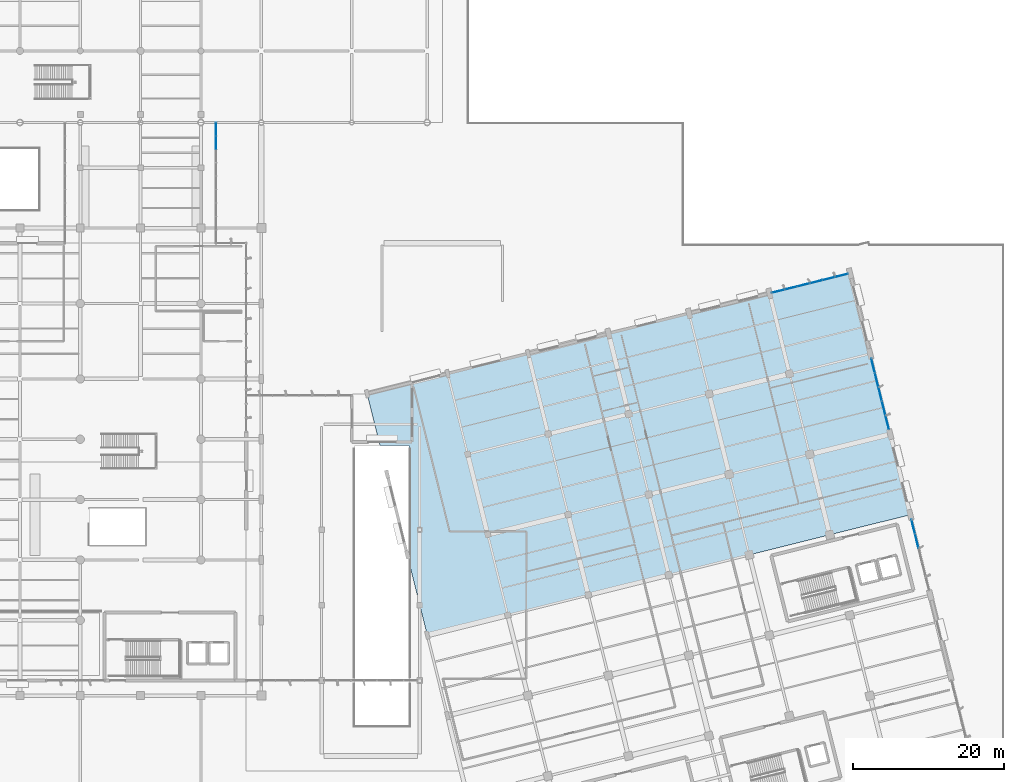
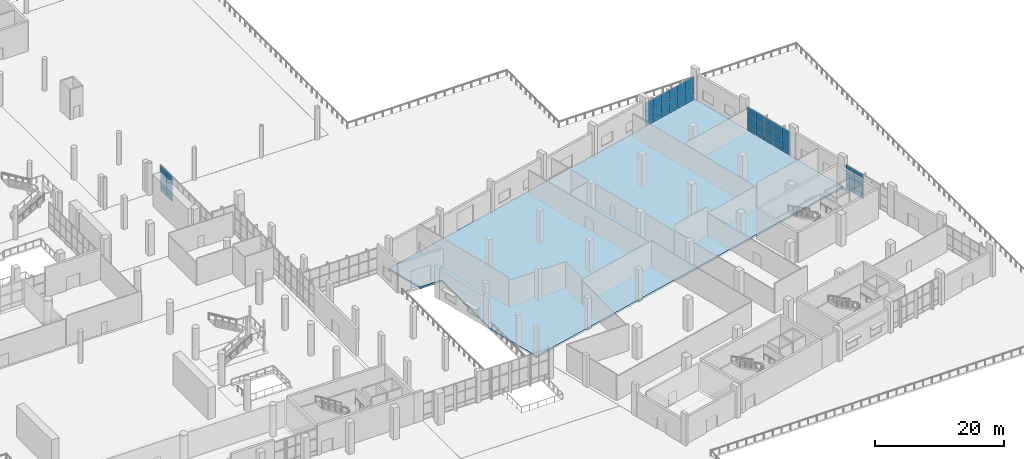
# One storey, part 120 of 163: 45 plates, 1 slab, 4 elements without a shape of their own.
"""IFC4 building model written with IfcOpenShell, lengths in metres."""

from ifc_helpers import new_model, si_unit, direction, frame, origin, origin_2d, place, context, subcontext, project, spatial, polyline, rectangle, outline, extrude, material, layer, layer_set, type_object, element, aggregate, save


model = new_model("IFC4")

# Units and contexts
model_context = context("Model", 3, precision=1e-05, world=origin(), true_north=direction((0.0, 1.0)))
body_context = subcontext(model_context, "Body", "Model", "MODEL_VIEW")
ifc_project = project(units=[si_unit("LENGTHUNIT", "METRE"), si_unit("AREAUNIT", "SQUARE_METRE"), si_unit("VOLUMEUNIT", "CUBIC_METRE"), si_unit("PLANEANGLEUNIT", "RADIAN"), si_unit("MASSUNIT", "GRAM", prefix="KILO")], contexts=[model_context])

# Site, building, storey
site_placement = place(None, origin())
site = spatial("IfcSite", under=ifc_project, at=site_placement, CompositionType="ELEMENT")
building_placement = place(site_placement, origin())
building = spatial("IfcBuilding", under=site, at=building_placement, Name="Khorjan Park Terminus", CompositionType="ELEMENT")
storey_placement = place(building_placement, origin())
storey = spatial("IfcBuildingStorey", under=building, at=storey_placement, Name="L00", CompositionType="ELEMENT", Elevation=0.0)

# Curtain wall, plates
ifc_material_1 = material(Name="Anodized Bronze Aluminium", Category="aluminium")
ifc_layer_1 = layer(ifc_material_1, 0.22)
ifc_layer_set_1 = layer_set([ifc_layer_1], Name="Anodized Bronze Aluminium")
curtain_wall_type_1 = type_object("IfcCurtainWallType", Name="CW-BRG-D", PredefinedType="NOTDEFINED", material=ifc_layer_set_1)
curtain_wall_1_placement = place(storey_placement, origin())
curtain_wall_1 = element("IfcCurtainWall", 1, at=curtain_wall_1_placement, inside=storey, type_object=curtain_wall_type_1, Name="Unitized curtain wall CW-D (CW-NKE-E-L00)", PredefinedType="NOTDEFINED")
ifc_material_2 = material(Name="Low-E Solar Control Double Glazing", Category="glass")
ifc_layer_2 = layer(ifc_material_2, 0.032)
ifc_layer_set_2 = layer_set([ifc_layer_2], Name="Low-E Solar Control Double Glazing")
plate_type_1 = type_object("IfcPlateType", Name="GL-VIS-32", PredefinedType="CURTAIN_PANEL", material=ifc_layer_set_2)
plate_1_placement = place(storey_placement, frame((130.0, 99.3333, 0.8499), z_axis=(0.0, 0.0, 1.0), x_axis=(0.0, 1.0, 0.0)))
plate_1 = element("IfcPlate", 2, at=plate_1_placement, type_object=plate_type_1, Name="Curtain-wall panel VP-32 (CW-NKE-E-L00-7-2)", PredefinedType="CURTAIN_PANEL", context=body_context, shape_type="SweptSolid", body=[
    extrude(rectangle(XDim=1.7778, YDim=0.032, at=origin_2d()), origin(), (0.0, 0.0, 1.0), 2.1415),
])
plate_2_placement = place(storey_placement, frame((130.0, 99.3333, 2.9914), z_axis=(0.0, 0.0, 1.0), x_axis=(0.0, 1.0, 0.0)))
plate_2 = element("IfcPlate", 3, at=plate_2_placement, type_object=plate_type_1, Name="Curtain-wall panel VP-32 (CW-NKE-E-L00-7-3)", PredefinedType="CURTAIN_PANEL", context=body_context, shape_type="SweptSolid", body=[
    extrude(rectangle(XDim=1.7778, YDim=0.032, at=origin_2d()), origin(), (0.0, 0.0, 1.0), 1.8435),
])
plate_3_placement = place(storey_placement, frame((130.0, 101.1111, 0.8499), z_axis=(0.0, 0.0, 1.0), x_axis=(0.0, 1.0, 0.0)))
plate_3 = element("IfcPlate", 4, at=plate_3_placement, type_object=plate_type_1, Name="Curtain-wall panel VP-32 (CW-NKE-E-L00-8-2)", PredefinedType="CURTAIN_PANEL", context=body_context, shape_type="SweptSolid", body=[
    extrude(rectangle(XDim=1.7778, YDim=0.032, at=origin_2d()), origin(), (0.0, 0.0, 1.0), 2.1415),
])
plate_4_placement = place(storey_placement, frame((130.0, 101.1111, 2.9914), z_axis=(0.0, 0.0, 1.0), x_axis=(0.0, 1.0, 0.0)))
plate_4 = element("IfcPlate", 5, at=plate_4_placement, type_object=plate_type_1, Name="Curtain-wall panel VP-32 (CW-NKE-E-L00-8-3)", PredefinedType="CURTAIN_PANEL", context=body_context, shape_type="SweptSolid", body=[
    extrude(rectangle(XDim=1.7778, YDim=0.032, at=origin_2d()), origin(), (0.0, 0.0, 1.0), 1.8435),
])

ifc_layer_3 = layer(ifc_material_1, 0.22)
ifc_layer_set_3 = layer_set([ifc_layer_3], Name="Anodized Bronze Aluminium")
curtain_wall_type_2 = type_object("IfcCurtainWallType", Name="CW-OPS-B", PredefinedType="NOTDEFINED", material=ifc_layer_set_3)
curtain_wall_2_placement = place(storey_placement, origin())
curtain_wall_2 = element("IfcCurtainWall", 6, at=curtain_wall_2_placement, inside=storey, type_object=curtain_wall_type_2, Name="Unitized curtain wall CW-B (CW-V5-E-L00-B03)", PredefinedType="NOTDEFINED")
plate_5_placement = place(storey_placement, frame((222.9202, 46.5209, 0.85), z_axis=(0.0, 0.0, 1.0), x_axis=(-0.241922975976, 0.970295456907, 0.0)))
plate_5 = element("IfcPlate", 7, at=plate_5_placement, type_object=plate_type_1, Name="Curtain-wall panel VP-32 (CW-V5-E-L00-B03-3-2)", PredefinedType="CURTAIN_PANEL", context=body_context, shape_type="SweptSolid", body=[
    extrude(rectangle(XDim=1.9281, YDim=0.032, at=origin_2d()), origin(), (0.0, 0.0, 1.0), 1.9803),
])
plate_6_placement = place(storey_placement, frame((222.9202, 46.5209, 2.8304), z_axis=(0.0, 0.0, 1.0), x_axis=(-0.241922975976, 0.970295456907, 0.0)))
plate_6 = element("IfcPlate", 8, at=plate_6_placement, type_object=plate_type_1, Name="Curtain-wall panel VP-32 (CW-V5-E-L00-B03-3-3)", PredefinedType="CURTAIN_PANEL", context=body_context, shape_type="SweptSolid", body=[
    extrude(rectangle(XDim=1.9281, YDim=0.032, at=origin_2d()), origin(), (0.0, 0.0, 1.0), 1.7447),
])
plate_7_placement = place(storey_placement, frame((222.4538, 48.3918, 0.85), z_axis=(0.0, 0.0, 1.0), x_axis=(-0.241922975976, 0.970295456907, 0.0)))
plate_7 = element("IfcPlate", 9, at=plate_7_placement, type_object=plate_type_1, Name="Curtain-wall panel VP-32 (CW-V5-E-L00-B03-4-2)", PredefinedType="CURTAIN_PANEL", context=body_context, shape_type="SweptSolid", body=[
    extrude(rectangle(XDim=1.9281, YDim=0.032, at=origin_2d()), origin(), (0.0, 0.0, 1.0), 1.9803),
])
plate_8_placement = place(storey_placement, frame((222.4538, 48.3918, 2.8304), z_axis=(0.0, 0.0, 1.0), x_axis=(-0.241922975976, 0.970295456907, 0.0)))
plate_8 = element("IfcPlate", 10, at=plate_8_placement, type_object=plate_type_1, Name="Curtain-wall panel VP-32 (CW-V5-E-L00-B03-4-3)", PredefinedType="CURTAIN_PANEL", context=body_context, shape_type="SweptSolid", body=[
    extrude(rectangle(XDim=1.9281, YDim=0.032, at=origin_2d()), origin(), (0.0, 0.0, 1.0), 1.7447),
])

curtain_wall_3_placement = place(storey_placement, origin())
curtain_wall_3 = element("IfcCurtainWall", 11, at=curtain_wall_3_placement, inside=storey, type_object=curtain_wall_type_2, Name="Unitized curtain wall CW-B (CW-V5-E-L00-B05)", PredefinedType="NOTDEFINED")
ifc_material_3 = material(Name="Acoustic Laminated Solar Glazing", Category="glass")
ifc_layer_4 = layer(ifc_material_3, 0.036)
ifc_layer_set_4 = layer_set([ifc_layer_4], Name="Acoustic Laminated Solar Glazing")
plate_type_2 = type_object("IfcPlateType", Name="GL-VIS-36", PredefinedType="CURTAIN_PANEL", material=ifc_layer_set_4)
plate_9_placement = place(storey_placement, frame((218.9973, 62.2552, 0.85), z_axis=(0.0, 0.0, 1.0), x_axis=(-0.241935125171, 0.970292427678, 0.0)))
plate_9 = element("IfcPlate", 12, at=plate_9_placement, type_object=plate_type_2, Name="Curtain-wall panel VP-36 (CW-V5-E-L00-B05-0-2)", PredefinedType="CURTAIN_PANEL", context=body_context, shape_type="SweptSolid", body=[
    extrude(rectangle(XDim=1.928, YDim=0.036, at=origin_2d()), origin(), (0.0, 0.0, 1.0), 1.8935),
])
plate_10_placement = place(storey_placement, frame((218.9973, 62.2552, 2.7435), z_axis=(0.0, 0.0, 1.0), x_axis=(-0.241935125171, 0.970292427678, 0.0)))
plate_10 = element("IfcPlate", 13, at=plate_10_placement, type_object=plate_type_2, Name="Curtain-wall panel VP-36 (CW-V5-E-L00-B05-0-3)", PredefinedType="CURTAIN_PANEL", context=body_context, shape_type="SweptSolid", body=[
    extrude(rectangle(XDim=1.928, YDim=0.036, at=origin_2d()), origin(), (0.0, 0.0, 1.0), 1.6915),
])
plate_11_placement = place(storey_placement, frame((218.5308, 64.1258, 0.85), z_axis=(0.0, 0.0, 1.0), x_axis=(-0.241935125171, 0.970292427678, 0.0)))
plate_11 = element("IfcPlate", 14, at=plate_11_placement, type_object=plate_type_2, Name="Curtain-wall panel VP-36 (CW-V5-E-L00-B05-1-2)", PredefinedType="CURTAIN_PANEL", context=body_context, shape_type="SweptSolid", body=[
    extrude(rectangle(XDim=1.928, YDim=0.036, at=origin_2d()), origin(), (0.0, 0.0, 1.0), 1.8935),
])
plate_12_placement = place(storey_placement, frame((218.5308, 64.1258, 2.7435), z_axis=(0.0, 0.0, 1.0), x_axis=(-0.241935125171, 0.970292427678, 0.0)))
plate_12 = element("IfcPlate", 15, at=plate_12_placement, type_object=plate_type_2, Name="Curtain-wall panel VP-36 (CW-V5-E-L00-B05-1-3)", PredefinedType="CURTAIN_PANEL", context=body_context, shape_type="SweptSolid", body=[
    extrude(rectangle(XDim=1.928, YDim=0.036, at=origin_2d()), origin(), (0.0, 0.0, 1.0), 1.6915),
])
plate_13_placement = place(storey_placement, frame((218.0644, 65.9965, 0.85), z_axis=(0.0, 0.0, 1.0), x_axis=(-0.241935125171, 0.970292427678, 0.0)))
plate_13 = element("IfcPlate", 16, at=plate_13_placement, type_object=plate_type_2, Name="Curtain-wall panel VP-36 (CW-V5-E-L00-B05-2-2)", PredefinedType="CURTAIN_PANEL", context=body_context, shape_type="SweptSolid", body=[
    extrude(rectangle(XDim=1.928, YDim=0.036, at=origin_2d()), origin(), (0.0, 0.0, 1.0), 1.8935),
])
plate_14_placement = place(storey_placement, frame((218.0644, 65.9965, 2.7435), z_axis=(0.0, 0.0, 1.0), x_axis=(-0.241935125171, 0.970292427678, 0.0)))
plate_14 = element("IfcPlate", 17, at=plate_14_placement, type_object=plate_type_2, Name="Curtain-wall panel VP-36 (CW-V5-E-L00-B05-2-3)", PredefinedType="CURTAIN_PANEL", context=body_context, shape_type="SweptSolid", body=[
    extrude(rectangle(XDim=1.928, YDim=0.036, at=origin_2d()), origin(), (0.0, 0.0, 1.0), 1.6915),
])
plate_15_placement = place(storey_placement, frame((217.5979, 67.8671, 0.85), z_axis=(0.0, 0.0, 1.0), x_axis=(-0.241935125171, 0.970292427678, 0.0)))
plate_15 = element("IfcPlate", 18, at=plate_15_placement, type_object=plate_type_2, Name="Curtain-wall panel VP-36 (CW-V5-E-L00-B05-3-2)", PredefinedType="CURTAIN_PANEL", context=body_context, shape_type="SweptSolid", body=[
    extrude(rectangle(XDim=1.928, YDim=0.036, at=origin_2d()), origin(), (0.0, 0.0, 1.0), 1.8935),
])
plate_16_placement = place(storey_placement, frame((217.5979, 67.8671, 2.7435), z_axis=(0.0, 0.0, 1.0), x_axis=(-0.241935125171, 0.970292427678, 0.0)))
plate_16 = element("IfcPlate", 19, at=plate_16_placement, type_object=plate_type_2, Name="Curtain-wall panel VP-36 (CW-V5-E-L00-B05-3-3)", PredefinedType="CURTAIN_PANEL", context=body_context, shape_type="SweptSolid", body=[
    extrude(rectangle(XDim=1.928, YDim=0.036, at=origin_2d()), origin(), (0.0, 0.0, 1.0), 1.6915),
])
plate_17_placement = place(storey_placement, frame((217.1315, 69.7378, 0.85), z_axis=(0.0, 0.0, 1.0), x_axis=(-0.241935125171, 0.970292427678, 0.0)))
plate_17 = element("IfcPlate", 20, at=plate_17_placement, type_object=plate_type_2, Name="Curtain-wall panel VP-36 (CW-V5-E-L00-B05-4-2)", PredefinedType="CURTAIN_PANEL", context=body_context, shape_type="SweptSolid", body=[
    extrude(rectangle(XDim=1.928, YDim=0.036, at=origin_2d()), origin(), (0.0, 0.0, 1.0), 1.8935),
])
plate_18_placement = place(storey_placement, frame((217.1315, 69.7378, 2.7435), z_axis=(0.0, 0.0, 1.0), x_axis=(-0.241935125171, 0.970292427678, 0.0)))
plate_18 = element("IfcPlate", 21, at=plate_18_placement, type_object=plate_type_2, Name="Curtain-wall panel VP-36 (CW-V5-E-L00-B05-4-3)", PredefinedType="CURTAIN_PANEL", context=body_context, shape_type="SweptSolid", body=[
    extrude(rectangle(XDim=1.928, YDim=0.036, at=origin_2d()), origin(), (0.0, 0.0, 1.0), 1.6915),
])

curtain_wall_4_placement = place(storey_placement, origin())
curtain_wall_4 = element("IfcCurtainWall", 22, at=curtain_wall_4_placement, inside=storey, type_object=curtain_wall_type_2, Name="Unitized curtain wall CW-B (CW-V5-N-L00-B01)", PredefinedType="NOTDEFINED")
plate_19_placement = place(storey_placement, frame((212.9166, 81.7181, 0.8499), z_axis=(0.0, 0.0, 1.0), x_axis=(-0.970294194364, -0.241928039679, 0.0)))
plate_19 = element("IfcPlate", 23, at=plate_19_placement, type_object=plate_type_2, Name="Curtain-wall panel VP-36 (CW-V5-N-L00-B01-0-2)", PredefinedType="CURTAIN_PANEL", context=body_context, shape_type="SweptSolid", body=[
    extrude(rectangle(XDim=1.7234, YDim=0.036, at=origin_2d()), origin(), (0.0, 0.0, 1.0), 1.8625),
])
plate_20_placement = place(storey_placement, frame((212.9166, 81.7181, 2.7125), z_axis=(0.0, 0.0, 1.0), x_axis=(-0.970294194364, -0.241928039679, 0.0)))
plate_20 = element("IfcPlate", 24, at=plate_20_placement, type_object=plate_type_2, Name="Curtain-wall panel VP-36 (CW-V5-N-L00-B01-0-3)", PredefinedType="CURTAIN_PANEL", context=body_context, shape_type="SweptSolid", body=[
    extrude(rectangle(XDim=1.7234, YDim=0.036, at=origin_2d()), origin(), (0.0, 0.0, 1.0), 1.6725),
])
plate_21_placement = place(storey_placement, frame((211.2443, 81.3012, 0.8499), z_axis=(0.0, 0.0, 1.0), x_axis=(-0.970294194364, -0.241928039679, 0.0)))
plate_21 = element("IfcPlate", 25, at=plate_21_placement, type_object=plate_type_2, Name="Curtain-wall panel VP-36 (CW-V5-N-L00-B01-1-2)", PredefinedType="CURTAIN_PANEL", context=body_context, shape_type="SweptSolid", body=[
    extrude(rectangle(XDim=1.7234, YDim=0.036, at=origin_2d()), origin(), (0.0, 0.0, 1.0), 1.8625),
])
plate_22_placement = place(storey_placement, frame((211.2443, 81.3012, 2.7125), z_axis=(0.0, 0.0, 1.0), x_axis=(-0.970294194364, -0.241928039679, 0.0)))
plate_22 = element("IfcPlate", 26, at=plate_22_placement, type_object=plate_type_2, Name="Curtain-wall panel VP-36 (CW-V5-N-L00-B01-1-3)", PredefinedType="CURTAIN_PANEL", context=body_context, shape_type="SweptSolid", body=[
    extrude(rectangle(XDim=1.7234, YDim=0.036, at=origin_2d()), origin(), (0.0, 0.0, 1.0), 1.6725),
])
plate_23_placement = place(storey_placement, frame((209.5721, 80.8842, 0.8499), z_axis=(0.0, 0.0, 1.0), x_axis=(-0.970294194364, -0.241928039679, 0.0)))
plate_23 = element("IfcPlate", 27, at=plate_23_placement, type_object=plate_type_2, Name="Curtain-wall panel VP-36 (CW-V5-N-L00-B01-2-2)", PredefinedType="CURTAIN_PANEL", context=body_context, shape_type="SweptSolid", body=[
    extrude(rectangle(XDim=1.7234, YDim=0.036, at=origin_2d()), origin(), (0.0, 0.0, 1.0), 1.8625),
])
plate_24_placement = place(storey_placement, frame((209.5721, 80.8842, 2.7125), z_axis=(0.0, 0.0, 1.0), x_axis=(-0.970294194364, -0.241928039679, 0.0)))
plate_24 = element("IfcPlate", 28, at=plate_24_placement, type_object=plate_type_2, Name="Curtain-wall panel VP-36 (CW-V5-N-L00-B01-2-3)", PredefinedType="CURTAIN_PANEL", context=body_context, shape_type="SweptSolid", body=[
    extrude(rectangle(XDim=1.7234, YDim=0.036, at=origin_2d()), origin(), (0.0, 0.0, 1.0), 1.6725),
])
plate_25_placement = place(storey_placement, frame((207.8999, 80.4673, 0.8499), z_axis=(0.0, 0.0, 1.0), x_axis=(-0.970294194364, -0.241928039679, 0.0)))
plate_25 = element("IfcPlate", 29, at=plate_25_placement, type_object=plate_type_2, Name="Curtain-wall panel VP-36 (CW-V5-N-L00-B01-3-2)", PredefinedType="CURTAIN_PANEL", context=body_context, shape_type="SweptSolid", body=[
    extrude(rectangle(XDim=1.7234, YDim=0.036, at=origin_2d()), origin(), (0.0, 0.0, 1.0), 1.8625),
])
plate_26_placement = place(storey_placement, frame((207.8999, 80.4673, 2.7125), z_axis=(0.0, 0.0, 1.0), x_axis=(-0.970294194364, -0.241928039679, 0.0)))
plate_26 = element("IfcPlate", 30, at=plate_26_placement, type_object=plate_type_2, Name="Curtain-wall panel VP-36 (CW-V5-N-L00-B01-3-3)", PredefinedType="CURTAIN_PANEL", context=body_context, shape_type="SweptSolid", body=[
    extrude(rectangle(XDim=1.7234, YDim=0.036, at=origin_2d()), origin(), (0.0, 0.0, 1.0), 1.6725),
])
plate_27_placement = place(storey_placement, frame((206.2276, 80.0503, 0.8499), z_axis=(0.0, 0.0, 1.0), x_axis=(-0.970294194364, -0.241928039679, 0.0)))
plate_27 = element("IfcPlate", 31, at=plate_27_placement, type_object=plate_type_2, Name="Curtain-wall panel VP-36 (CW-V5-N-L00-B01-4-2)", PredefinedType="CURTAIN_PANEL", context=body_context, shape_type="SweptSolid", body=[
    extrude(rectangle(XDim=1.7234, YDim=0.036, at=origin_2d()), origin(), (0.0, 0.0, 1.0), 1.8625),
])
plate_28_placement = place(storey_placement, frame((206.2276, 80.0503, 2.7125), z_axis=(0.0, 0.0, 1.0), x_axis=(-0.970294194364, -0.241928039679, 0.0)))
plate_28 = element("IfcPlate", 32, at=plate_28_placement, type_object=plate_type_2, Name="Curtain-wall panel VP-36 (CW-V5-N-L00-B01-4-3)", PredefinedType="CURTAIN_PANEL", context=body_context, shape_type="SweptSolid", body=[
    extrude(rectangle(XDim=1.7234, YDim=0.036, at=origin_2d()), origin(), (0.0, 0.0, 1.0), 1.6725),
])
plate_29_placement = place(storey_placement, frame((204.5553, 79.6334, 0.8499), z_axis=(0.0, 0.0, 1.0), x_axis=(-0.970294194364, -0.241928039679, 0.0)))
plate_29 = element("IfcPlate", 33, at=plate_29_placement, type_object=plate_type_2, Name="Curtain-wall panel VP-36 (CW-V5-N-L00-B01-5-2)", PredefinedType="CURTAIN_PANEL", context=body_context, shape_type="SweptSolid", body=[
    extrude(rectangle(XDim=1.7234, YDim=0.036, at=origin_2d()), origin(), (0.0, 0.0, 1.0), 1.8625),
])
plate_30_placement = place(storey_placement, frame((204.5553, 79.6334, 2.7125), z_axis=(0.0, 0.0, 1.0), x_axis=(-0.970294194364, -0.241928039679, 0.0)))
plate_30 = element("IfcPlate", 34, at=plate_30_placement, type_object=plate_type_2, Name="Curtain-wall panel VP-36 (CW-V5-N-L00-B01-5-3)", PredefinedType="CURTAIN_PANEL", context=body_context, shape_type="SweptSolid", body=[
    extrude(rectangle(XDim=1.7234, YDim=0.036, at=origin_2d()), origin(), (0.0, 0.0, 1.0), 1.6725),
])

# Slab
ifc_material_4 = material(Name="Concrete C40/50", Category="concrete")
ifc_layer_5 = layer(ifc_material_4, 0.35)
ifc_layer_set_5 = layer_set([ifc_layer_5], Name="Concrete C40/50")
slab_type = type_object("IfcSlabType", Name="SL-FLR-350", PredefinedType="FLOOR", material=ifc_layer_set_5)
slab_placement = place(storey_placement, frame((0.0, 0.0, -0.35)))
element("IfcSlab", 35, at=slab_placement, inside=storey, type_object=slab_type, Name="Structural floor slab FS-35 (L00-V5-N)", PredefinedType="FLOOR", context=body_context, shape_type="SweptSolid", body=[
    extrude(outline(polyline([(150.0332, 66.0395), (214.0727, 82.0064), (222.0561, 49.9866), (158.0166, 34.0198), (155.6, 43.7123), (155.6, 59.2), (151.7385, 59.2), (150.0332, 66.0395)])), origin(), (0.0, 0.0, 1.0), 0.35),
])

# Plate
ifc_material_5 = material(Name="Insulated Anodized Bronze Spandrel Panel")
ifc_layer_6 = layer(ifc_material_5, 0.045)
ifc_layer_set_6 = layer_set([ifc_layer_6], Name="Insulated Anodized Bronze Spandrel Panel")
plate_type_3 = type_object("IfcPlateType", Name="SP-AL-45", PredefinedType="CURTAIN_PANEL", material=ifc_layer_set_6)
plate_31_placement = place(storey_placement, frame((130.0, 99.3333, -0.01), z_axis=(0.0, 0.0, 1.0), x_axis=(0.0, 1.0, 0.0)))
plate_31 = element("IfcPlate", 36, at=plate_31_placement, type_object=plate_type_3, Name="Curtain-wall panel SP-A45 (CW-NKE-E-L00-7-1)", PredefinedType="CURTAIN_PANEL", context=body_context, shape_type="SweptSolid", body=[
    extrude(rectangle(XDim=1.7778, YDim=0.045, at=origin_2d()), origin(), (0.0, 0.0, 1.0), 0.86),
])

plate_32_placement = place(storey_placement, frame((130.0, 101.1111, -0.01), z_axis=(0.0, 0.0, 1.0), x_axis=(0.0, 1.0, 0.0)))
plate_32 = element("IfcPlate", 37, at=plate_32_placement, type_object=plate_type_3, Name="Curtain-wall panel SP-A45 (CW-NKE-E-L00-8-1)", PredefinedType="CURTAIN_PANEL", context=body_context, shape_type="SweptSolid", body=[
    extrude(rectangle(XDim=1.7778, YDim=0.045, at=origin_2d()), origin(), (0.0, 0.0, 1.0), 0.86),
])

aggregate(curtain_wall_1, [plate_31, plate_1, plate_2, plate_32, plate_3, plate_4])

ifc_material_6 = material(Name="Insulated Bronze-Composite Spandrel Panel")
ifc_layer_7 = layer(ifc_material_6, 0.055)
ifc_layer_set_7 = layer_set([ifc_layer_7], Name="Insulated Bronze-Composite Spandrel Panel")
plate_type_4 = type_object("IfcPlateType", Name="SP-AL-55", PredefinedType="CURTAIN_PANEL", material=ifc_layer_set_7)
plate_33_placement = place(storey_placement, frame((222.9202, 46.5209, -0.01), z_axis=(0.0, 0.0, 1.0), x_axis=(-0.241922975976, 0.970295456907, 0.0)))
plate_33 = element("IfcPlate", 38, at=plate_33_placement, type_object=plate_type_4, Name="Curtain-wall panel SP-A55 (CW-V5-E-L00-B03-3-1)", PredefinedType="CURTAIN_PANEL", context=body_context, shape_type="SweptSolid", body=[
    extrude(rectangle(XDim=1.9281, YDim=0.055, at=origin_2d()), origin(), (0.0, 0.0, 1.0), 0.86),
])

plate_34_placement = place(storey_placement, frame((222.4538, 48.3918, -0.01), z_axis=(0.0, 0.0, 1.0), x_axis=(-0.241922975976, 0.970295456907, 0.0)))
plate_34 = element("IfcPlate", 39, at=plate_34_placement, type_object=plate_type_4, Name="Curtain-wall panel SP-A55 (CW-V5-E-L00-B03-4-1)", PredefinedType="CURTAIN_PANEL", context=body_context, shape_type="SweptSolid", body=[
    extrude(rectangle(XDim=1.9281, YDim=0.055, at=origin_2d()), origin(), (0.0, 0.0, 1.0), 0.86),
])

aggregate(curtain_wall_2, [plate_33, plate_5, plate_6, plate_34, plate_7, plate_8])

plate_35_placement = place(storey_placement, frame((218.9973, 62.2552, -0.01), z_axis=(0.0, 0.0, 1.0), x_axis=(-0.241935125171, 0.970292427678, 0.0)))
plate_35 = element("IfcPlate", 40, at=plate_35_placement, type_object=plate_type_4, Name="Curtain-wall panel SP-A55 (CW-V5-E-L00-B05-0-1)", PredefinedType="CURTAIN_PANEL", context=body_context, shape_type="SweptSolid", body=[
    extrude(rectangle(XDim=1.928, YDim=0.055, at=origin_2d()), origin(), (0.0, 0.0, 1.0), 0.86),
])

plate_36_placement = place(storey_placement, frame((218.5308, 64.1258, -0.01), z_axis=(0.0, 0.0, 1.0), x_axis=(-0.241935125171, 0.970292427678, 0.0)))
plate_36 = element("IfcPlate", 41, at=plate_36_placement, type_object=plate_type_4, Name="Curtain-wall panel SP-A55 (CW-V5-E-L00-B05-1-1)", PredefinedType="CURTAIN_PANEL", context=body_context, shape_type="SweptSolid", body=[
    extrude(rectangle(XDim=1.928, YDim=0.055, at=origin_2d()), origin(), (0.0, 0.0, 1.0), 0.86),
])

plate_37_placement = place(storey_placement, frame((218.0644, 65.9965, -0.01), z_axis=(0.0, 0.0, 1.0), x_axis=(-0.241935125171, 0.970292427678, 0.0)))
plate_37 = element("IfcPlate", 42, at=plate_37_placement, type_object=plate_type_4, Name="Curtain-wall panel SP-A55 (CW-V5-E-L00-B05-2-1)", PredefinedType="CURTAIN_PANEL", context=body_context, shape_type="SweptSolid", body=[
    extrude(rectangle(XDim=1.928, YDim=0.055, at=origin_2d()), origin(), (0.0, 0.0, 1.0), 0.86),
])

plate_38_placement = place(storey_placement, frame((217.5979, 67.8671, -0.01), z_axis=(0.0, 0.0, 1.0), x_axis=(-0.241935125171, 0.970292427678, 0.0)))
plate_38 = element("IfcPlate", 43, at=plate_38_placement, type_object=plate_type_4, Name="Curtain-wall panel SP-A55 (CW-V5-E-L00-B05-3-1)", PredefinedType="CURTAIN_PANEL", context=body_context, shape_type="SweptSolid", body=[
    extrude(rectangle(XDim=1.928, YDim=0.055, at=origin_2d()), origin(), (0.0, 0.0, 1.0), 0.86),
])

plate_39_placement = place(storey_placement, frame((217.1315, 69.7378, -0.01), z_axis=(0.0, 0.0, 1.0), x_axis=(-0.241935125171, 0.970292427678, 0.0)))
plate_39 = element("IfcPlate", 44, at=plate_39_placement, type_object=plate_type_4, Name="Curtain-wall panel SP-A55 (CW-V5-E-L00-B05-4-1)", PredefinedType="CURTAIN_PANEL", context=body_context, shape_type="SweptSolid", body=[
    extrude(rectangle(XDim=1.928, YDim=0.055, at=origin_2d()), origin(), (0.0, 0.0, 1.0), 0.86),
])

aggregate(curtain_wall_3, [plate_35, plate_9, plate_10, plate_36, plate_11, plate_12, plate_37, plate_13, plate_14, plate_38, plate_15, plate_16, plate_39, plate_17, plate_18])

plate_40_placement = place(storey_placement, frame((212.9166, 81.7181, -0.01), z_axis=(0.0, 0.0, 1.0), x_axis=(-0.970294194364, -0.241928039679, 0.0)))
plate_40 = element("IfcPlate", 45, at=plate_40_placement, type_object=plate_type_4, Name="Curtain-wall panel SP-A55 (CW-V5-N-L00-B01-0-1)", PredefinedType="CURTAIN_PANEL", context=body_context, shape_type="SweptSolid", body=[
    extrude(rectangle(XDim=1.7234, YDim=0.055, at=origin_2d()), origin(), (0.0, 0.0, 1.0), 0.86),
])

plate_41_placement = place(storey_placement, frame((211.2443, 81.3012, -0.01), z_axis=(0.0, 0.0, 1.0), x_axis=(-0.970294194364, -0.241928039679, 0.0)))
plate_41 = element("IfcPlate", 46, at=plate_41_placement, type_object=plate_type_4, Name="Curtain-wall panel SP-A55 (CW-V5-N-L00-B01-1-1)", PredefinedType="CURTAIN_PANEL", context=body_context, shape_type="SweptSolid", body=[
    extrude(rectangle(XDim=1.7234, YDim=0.055, at=origin_2d()), origin(), (0.0, 0.0, 1.0), 0.86),
])

plate_42_placement = place(storey_placement, frame((209.5721, 80.8842, -0.01), z_axis=(0.0, 0.0, 1.0), x_axis=(-0.970294194364, -0.241928039679, 0.0)))
plate_42 = element("IfcPlate", 47, at=plate_42_placement, type_object=plate_type_4, Name="Curtain-wall panel SP-A55 (CW-V5-N-L00-B01-2-1)", PredefinedType="CURTAIN_PANEL", context=body_context, shape_type="SweptSolid", body=[
    extrude(rectangle(XDim=1.7234, YDim=0.055, at=origin_2d()), origin(), (0.0, 0.0, 1.0), 0.86),
])

plate_43_placement = place(storey_placement, frame((207.8999, 80.4673, -0.01), z_axis=(0.0, 0.0, 1.0), x_axis=(-0.970294194364, -0.241928039679, 0.0)))
plate_43 = element("IfcPlate", 48, at=plate_43_placement, type_object=plate_type_4, Name="Curtain-wall panel SP-A55 (CW-V5-N-L00-B01-3-1)", PredefinedType="CURTAIN_PANEL", context=body_context, shape_type="SweptSolid", body=[
    extrude(rectangle(XDim=1.7234, YDim=0.055, at=origin_2d()), origin(), (0.0, 0.0, 1.0), 0.86),
])

plate_44_placement = place(storey_placement, frame((206.2276, 80.0503, -0.01), z_axis=(0.0, 0.0, 1.0), x_axis=(-0.970294194364, -0.241928039679, 0.0)))
plate_44 = element("IfcPlate", 49, at=plate_44_placement, type_object=plate_type_4, Name="Curtain-wall panel SP-A55 (CW-V5-N-L00-B01-4-1)", PredefinedType="CURTAIN_PANEL", context=body_context, shape_type="SweptSolid", body=[
    extrude(rectangle(XDim=1.7234, YDim=0.055, at=origin_2d()), origin(), (0.0, 0.0, 1.0), 0.86),
])

plate_45_placement = place(storey_placement, frame((204.5553, 79.6334, -0.01), z_axis=(0.0, 0.0, 1.0), x_axis=(-0.970294194364, -0.241928039679, 0.0)))
plate_45 = element("IfcPlate", 50, at=plate_45_placement, type_object=plate_type_4, Name="Curtain-wall panel SP-A55 (CW-V5-N-L00-B01-5-1)", PredefinedType="CURTAIN_PANEL", context=body_context, shape_type="SweptSolid", body=[
    extrude(rectangle(XDim=1.7234, YDim=0.055, at=origin_2d()), origin(), (0.0, 0.0, 1.0), 0.86),
])

aggregate(curtain_wall_4, [plate_40, plate_19, plate_20, plate_41, plate_21, plate_22, plate_42, plate_23, plate_24, plate_43, plate_25, plate_26, plate_44, plate_27, plate_28, plate_45, plate_29, plate_30])

save(model, "model.ifc")
